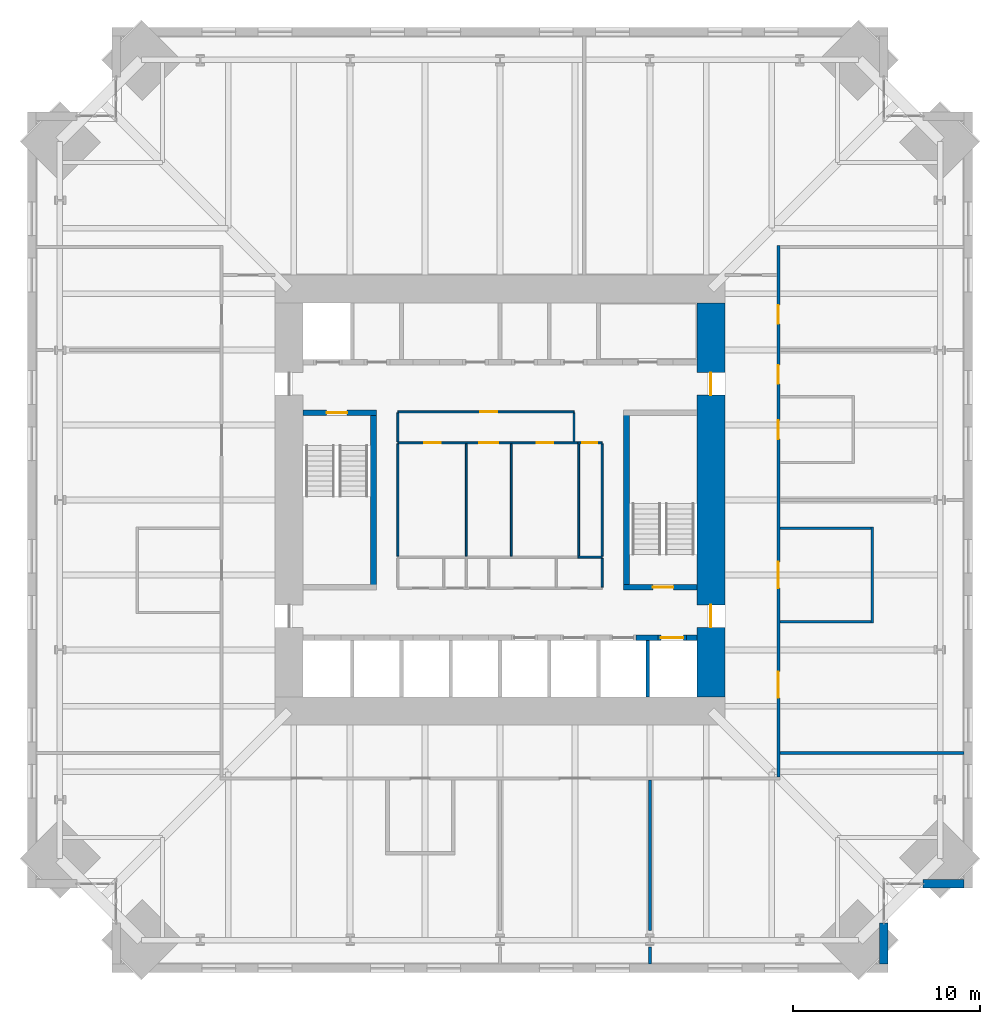
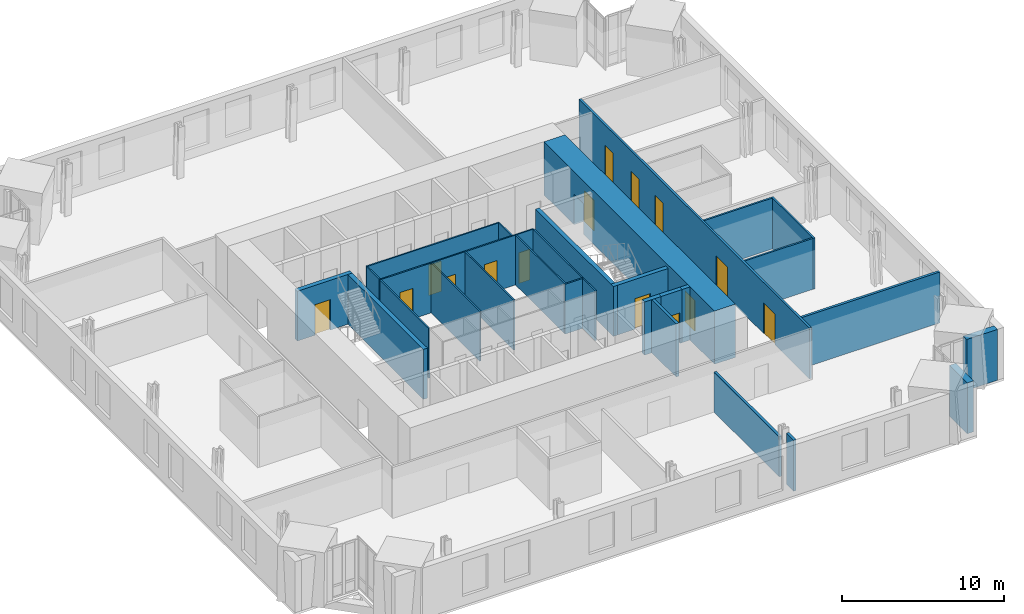
# One storey, part 12 of 15: 30 walls, 15 doors, 15 openings.
"""IFC4 building model written with IfcOpenShell, lengths in metres."""

from ifc_helpers import new_model, si_unit, direction, frame, frame_2d, origin, place, context, subcontext, project, spatial, rectangle, extrude, material, layer, layer_set, type_object, element, fill, save


model = new_model("IFC4")

# Units and contexts
model_context = context("Model", 3, precision=1e-05, world=origin(), true_north=direction((0.0, 1.0)))
body_context = subcontext(model_context, "Body", "Model", "MODEL_VIEW")
ifc_project = project(units=[si_unit("LENGTHUNIT", "METRE"), si_unit("AREAUNIT", "SQUARE_METRE"), si_unit("VOLUMEUNIT", "CUBIC_METRE"), si_unit("PLANEANGLEUNIT", "RADIAN"), si_unit("MASSUNIT", "GRAM", prefix="KILO")], contexts=[model_context])

# Site, building, storey
site_placement = place(None, origin())
site = spatial("IfcSite", under=ifc_project, at=site_placement, CompositionType="ELEMENT")
building_placement = place(site_placement, origin())
building = spatial("IfcBuilding", under=site, at=building_placement, Name="Peilmerk Tower", CompositionType="ELEMENT")
storey_placement = place(building_placement, frame((0.0, 0.0, 183.800048828125)))
storey = spatial("IfcBuildingStorey", under=building, at=storey_placement, Name="L39", CompositionType="ELEMENT", Elevation=183.800048828125)

# Walls
ifc_material_1 = material(Name="Precast concrete C45/55, board-marked finish", Category="concrete")
ifc_layer_1 = layer(ifc_material_1, 0.449951171875)
ifc_layer_set_1 = layer_set([ifc_layer_1], Name="Precast concrete C45/55, board-marked finish")
wall_type_1 = type_object("IfcWallType", Name="EW1 450 precast concrete facade wall, board-marked", PredefinedType="SOLIDWALL", material=ifc_layer_set_1)
for number, where, z_axis, x_axis, name in (
    (1, (20.47509765625, -22.5537109375, 0.0), (0.0, 0.0, 1.0), (0.0, -1.0, 0.0), "Facade wall SEA L39"),
    (2, (22.5537109375, -20.47509765625, 0.0), (0.0, 0.0, 1.0), (1.0, 0.0, 0.0), "Facade wall SEB L39"),
):
    element("IfcWall", number, at=place(storey_placement, frame(where, z_axis=z_axis, x_axis=x_axis)), inside=storey, type_object=wall_type_1, Name=name, PredefinedType="SOLIDWALL", context=body_context, shape_type="SweptSolid", body=[
        extrude(rectangle(XDim=2.1962890625, YDim=0.449951171875, at=frame_2d((1.09814453125, 0.0))), origin(), (0.0, 0.0, 1.0), 3.829833984375),
    ])

# Wall, openings, doors
ifc_material_2 = material(Name="Calcium silicate block", Category="masonry")
ifc_layer_2 = layer(ifc_material_2, 0.14990234375)
ifc_layer_set_2 = layer_set([ifc_layer_2], Name="Calcium silicate block")
wall_type_2 = type_object("IfcWallType", Name="IW1 150 corridor partition, EI 60", PredefinedType="PARTITIONING", material=ifc_layer_set_2)
wall_1_placement = place(storey_placement, frame((14.85009765625, -14.77490234375, 0.0), z_axis=(0.0, 0.0, 1.0), x_axis=(0.0, 1.0, 0.0)))
wall_1 = element("IfcWall", 3, at=wall_1_placement, inside=storey, type_object=wall_type_2, Name="Corridor wall E L39", PredefinedType="PARTITIONING", context=body_context, shape_type="SweptSolid", body=[
    extrude(rectangle(XDim=28.349853515625, YDim=0.14990234375, at=frame_2d((14.1748046875, 0.0))), origin(), (0.0, 0.0, 1.0), 3.829833984375),
])
opening_1_placement = place(wall_1_placement, frame((4.22509765625, 0.0, 0.0)))
opening_1 = element("IfcOpeningElement", 4, at=opening_1_placement, cuts=wall_1, Name="Opening D8", PredefinedType="OPENING", context=body_context, shape_type="SweptSolid", body=[
    extrude(rectangle(XDim=1.39990234375, YDim=2.300048828125, at=frame_2d((0.699951171875, 1.14990234375))), frame((0.0, 0.0849609375, 0.0), z_axis=(0.0, -1.0, 0.0), x_axis=(1.0, 0.0, 0.0)), (0.0, 0.0, 1.0), 0.169921875),
])
opening_2_placement = place(wall_1_placement, frame((20.97509765625, 0.0, 0.0)))
opening_2 = element("IfcOpeningElement", 5, at=opening_2_placement, cuts=wall_1, Name="Opening D1", PredefinedType="OPENING", context=body_context, shape_type="SweptSolid", body=[
    extrude(rectangle(XDim=1.0, YDim=2.300048828125, at=frame_2d((0.5, 1.14990234375))), frame((0.0, 0.0849609375, 0.0), z_axis=(0.0, -1.0, 0.0), x_axis=(1.0, 0.0, 0.0)), (0.0, 0.0, 1.0), 0.169921875),
])
opening_3_placement = place(wall_1_placement, frame((24.175048828125, 0.0, 0.0)))
opening_3 = element("IfcOpeningElement", 6, at=opening_3_placement, cuts=wall_1, Name="Opening D1", PredefinedType="OPENING", context=body_context, shape_type="SweptSolid", body=[
    extrude(rectangle(XDim=1.0, YDim=2.300048828125, at=frame_2d((0.5, 1.14990234375))), frame((0.0, 0.0849609375, 0.0), z_axis=(0.0, -1.0, 0.0), x_axis=(1.0, 0.0, 0.0)), (0.0, 0.0, 1.0), 0.169921875),
])
opening_4_placement = place(wall_1_placement, frame((10.074951171875, 0.0, 0.0)))
opening_4 = element("IfcOpeningElement", 7, at=opening_4_placement, cuts=wall_1, Name="Opening D8", PredefinedType="OPENING", context=body_context, shape_type="SweptSolid", body=[
    extrude(rectangle(XDim=1.39990234375, YDim=2.300048828125, at=frame_2d((0.699951171875, 1.14990234375))), frame((0.0, 0.0849609375, 0.0), z_axis=(0.0, -1.0, 0.0), x_axis=(1.0, 0.0, 0.0)), (0.0, 0.0, 1.0), 0.169921875),
])
opening_5_placement = place(wall_1_placement, frame((18.02490234375, 0.0, 0.0)))
opening_5 = element("IfcOpeningElement", 8, at=opening_5_placement, cuts=wall_1, Name="Opening D1", PredefinedType="OPENING", context=body_context, shape_type="SweptSolid", body=[
    extrude(rectangle(XDim=1.0, YDim=2.300048828125, at=frame_2d((0.5, 1.14990234375))), frame((0.0, 0.0849609375, 0.0), z_axis=(0.0, -1.0, 0.0), x_axis=(1.0, 0.0, 0.0)), (0.0, 0.0, 1.0), 0.169921875),
])
ifc_material_3 = material(Name="Timber door in steel frame", Category="steel")
door_type_1 = type_object("IfcDoorType", Name="D1 1000x2300 room door, EI2 30", OperationType="SINGLE_SWING_LEFT", PredefinedType="DOOR", material=ifc_material_3)
door_1_placement = place(opening_2_placement, frame((1.0, 0.0, 0.0), z_axis=(0.0, 0.0, 1.0), x_axis=(-1.0, 0.0, 0.0)))
door_1 = element("IfcDoor", 9, at=door_1_placement, inside=storey, type_object=door_type_1, Name="Door Office L39", OperationType="SINGLE_SWING_LEFT", OverallHeight=2.300048828125, OverallWidth=1.0, PredefinedType="DOOR", context=body_context, shape_type="SweptSolid", body=[
    extrude(rectangle(XDim=1.0, YDim=2.300048828125, at=frame_2d((0.5, 1.14990234375))), frame((0.0, 0.02490234375, 0.0), z_axis=(0.0, -1.0, 0.0), x_axis=(1.0, 0.0, 0.0)), (0.0, 0.0, 1.0), 0.050048828125),
])
fill(opening_2, door_1)
door_2_placement = place(opening_3_placement, frame((1.0, 0.0, 0.0), z_axis=(0.0, 0.0, 1.0), x_axis=(-1.0, 0.0, 0.0)))
door_2 = element("IfcDoor", 10, at=door_2_placement, inside=storey, type_object=door_type_1, Name="Door Office L39", OperationType="SINGLE_SWING_LEFT", OverallHeight=2.300048828125, OverallWidth=1.0, PredefinedType="DOOR", context=body_context, shape_type="SweptSolid", body=[
    extrude(rectangle(XDim=1.0, YDim=2.300048828125, at=frame_2d((0.5, 1.14990234375))), frame((0.0, 0.02490234375, 0.0), z_axis=(0.0, -1.0, 0.0), x_axis=(1.0, 0.0, 0.0)), (0.0, 0.0, 1.0), 0.050048828125),
])
fill(opening_3, door_2)
door_3_placement = place(opening_5_placement, frame((1.0, 0.0, 0.0), z_axis=(0.0, 0.0, 1.0), x_axis=(-1.0, 0.0, 0.0)))
door_3 = element("IfcDoor", 11, at=door_3_placement, inside=storey, type_object=door_type_1, Name="Door Pantry L39", OperationType="SINGLE_SWING_LEFT", OverallHeight=2.300048828125, OverallWidth=1.0, PredefinedType="DOOR", context=body_context, shape_type="SweptSolid", body=[
    extrude(rectangle(XDim=1.0, YDim=2.300048828125, at=frame_2d((0.5, 1.14990234375))), frame((0.0, 0.02490234375, 0.0), z_axis=(0.0, -1.0, 0.0), x_axis=(1.0, 0.0, 0.0)), (0.0, 0.0, 1.0), 0.050048828125),
])
fill(opening_5, door_3)
door_type_2 = type_object("IfcDoorType", Name="D8 1400x2300 leaf-and-a-half door, EI2 30", OperationType="DOUBLE_DOOR_SINGLE_SWING", PredefinedType="DOOR", material=ifc_material_3)
door_4_placement = place(opening_1_placement, frame((1.39990234375, 0.0, 0.0), z_axis=(0.0, 0.0, 1.0), x_axis=(-1.0, 0.0, 0.0)))
door_4 = element("IfcDoor", 12, at=door_4_placement, inside=storey, type_object=door_type_2, Name="Door Library L39", OperationType="DOUBLE_DOOR_SINGLE_SWING", OverallHeight=2.300048828125, OverallWidth=1.39990234375, PredefinedType="DOOR", context=body_context, shape_type="SweptSolid", body=[
    extrude(rectangle(XDim=1.39990234375, YDim=2.300048828125, at=frame_2d((0.699951171875, 1.14990234375))), frame((0.0, 0.02490234375, 0.0), z_axis=(0.0, -1.0, 0.0), x_axis=(1.0, 0.0, 0.0)), (0.0, 0.0, 1.0), 0.050048828125),
])
fill(opening_1, door_4)
door_5_placement = place(opening_4_placement, frame((1.39990234375, 0.0, 0.0), z_axis=(0.0, 0.0, 1.0), x_axis=(-1.0, 0.0, 0.0)))
door_5 = element("IfcDoor", 13, at=door_5_placement, inside=storey, type_object=door_type_2, Name="Door Board room L39", OperationType="DOUBLE_DOOR_SINGLE_SWING", OverallHeight=2.300048828125, OverallWidth=1.39990234375, PredefinedType="DOOR", context=body_context, shape_type="SweptSolid", body=[
    extrude(rectangle(XDim=1.39990234375, YDim=2.300048828125, at=frame_2d((0.699951171875, 1.14990234375))), frame((0.0, 0.02490234375, 0.0), z_axis=(0.0, -1.0, 0.0), x_axis=(1.0, 0.0, 0.0)), (0.0, 0.0, 1.0), 0.050048828125),
])
fill(opening_4, door_5)

# Wall
ifc_material_4 = material(Name="Concrete C35/45", Category="concrete")
ifc_layer_3 = layer(ifc_material_4, 0.300048828125)
ifc_layer_set_3 = layer_set([ifc_layer_3], Name="Concrete C35/45")
wall_type_3 = type_object("IfcWallType", Name="IW3 300 concrete stair enclosure wall, EI 120", PredefinedType="SOLIDWALL", material=ifc_layer_set_3)
wall_2_placement = place(storey_placement, frame((-6.75, -4.800048828125, 0.0), z_axis=(0.0, 0.0, 1.0), x_axis=(0.0, 1.0, 0.0)))
element("IfcWall", 14, at=wall_2_placement, inside=storey, type_object=wall_type_3, Name="Stair 1 enclosure L39", PredefinedType="SOLIDWALL", context=body_context, shape_type="SweptSolid", body=[
    extrude(rectangle(XDim=9.60009765625, YDim=0.300048828125, at=frame_2d((4.800048828125, 0.0))), origin(), (0.0, 0.0, 1.0), 3.75),
])

# Wall, opening, door
wall_3_placement = place(storey_placement, frame((-10.5, 4.64990234375, 0.0), z_axis=(0.0, 0.0, 1.0), x_axis=(1.0, 0.0, 0.0)))
wall_3 = element("IfcWall", 15, at=wall_3_placement, inside=storey, type_object=wall_type_3, Name="Stair 1 enclosure L39", PredefinedType="SOLIDWALL", context=body_context, shape_type="SweptSolid", body=[
    extrude(rectangle(XDim=3.89990234375, YDim=0.300048828125, at=frame_2d((1.949951171875, 0.0))), origin(), (0.0, 0.0, 1.0), 3.75),
])
opening_6_placement = place(wall_3_placement, frame((1.25, 0.0, 0.0)))
opening_6 = element("IfcOpeningElement", 16, at=opening_6_placement, cuts=wall_3, Name="Opening D4", PredefinedType="OPENING", context=body_context, shape_type="SweptSolid", body=[
    extrude(rectangle(XDim=1.10009765625, YDim=2.300048828125, at=frame_2d((0.550048828125, 1.14990234375))), frame((0.0, 0.159912109375, 0.0), z_axis=(0.0, -1.0, 0.0), x_axis=(1.0, 0.0, 0.0)), (0.0, 0.0, 1.0), 0.320068359375),
])
ifc_material_5 = material(Name="Steel door in steel frame", Category="steel")
door_type_3 = type_object("IfcDoorType", Name="D4 1100x2300 stair door, EI2 60", OperationType="SINGLE_SWING_RIGHT", PredefinedType="DOOR", material=ifc_material_5)
door_6_placement = place(opening_6_placement, frame((1.10009765625, 0.0, 0.0), z_axis=(0.0, 0.0, 1.0), x_axis=(-1.0, 0.0, 0.0)))
door_6 = element("IfcDoor", 17, at=door_6_placement, inside=storey, type_object=door_type_3, Name="Stair 1 door L39", OperationType="SINGLE_SWING_RIGHT", OverallHeight=2.300048828125, OverallWidth=1.10009765625, PredefinedType="DOOR", context=body_context, shape_type="SweptSolid", body=[
    extrude(rectangle(XDim=1.10009765625, YDim=2.300048828125, at=frame_2d((0.550048828125, 1.14990234375))), frame((0.0, 0.02490234375, 0.0), z_axis=(0.0, -1.0, 0.0), x_axis=(1.0, 0.0, 0.0)), (0.0, 0.0, 1.0), 0.050048828125),
])
fill(opening_6, door_6)

# Wall
wall_4_placement = place(storey_placement, frame((6.75, -4.800048828125, 0.0), z_axis=(0.0, 0.0, 1.0), x_axis=(0.0, 1.0, 0.0)))
element("IfcWall", 18, at=wall_4_placement, inside=storey, type_object=wall_type_3, Name="Stair 2 enclosure L39", PredefinedType="SOLIDWALL", context=body_context, shape_type="SweptSolid", body=[
    extrude(rectangle(XDim=9.60009765625, YDim=0.300048828125, at=frame_2d((4.800048828125, 0.0))), origin(), (0.0, 0.0, 1.0), 3.75),
])

# Wall, opening, door
wall_5_placement = place(storey_placement, frame((10.5, -4.64990234375, 0.0), z_axis=(0.0, 0.0, 1.0), x_axis=(-1.0, 0.0, 0.0)))
wall_5 = element("IfcWall", 19, at=wall_5_placement, inside=storey, type_object=wall_type_3, Name="Stair 2 enclosure L39", PredefinedType="SOLIDWALL", context=body_context, shape_type="SweptSolid", body=[
    extrude(rectangle(XDim=3.89990234375, YDim=0.300048828125, at=frame_2d((1.949951171875, 0.0))), origin(), (0.0, 0.0, 1.0), 3.75),
])
opening_7_placement = place(wall_5_placement, frame((1.25, 0.0, 0.0)))
opening_7 = element("IfcOpeningElement", 20, at=opening_7_placement, cuts=wall_5, Name="Opening D4", PredefinedType="OPENING", context=body_context, shape_type="SweptSolid", body=[
    extrude(rectangle(XDim=1.10009765625, YDim=2.300048828125, at=frame_2d((0.550048828125, 1.14990234375))), frame((0.0, 0.159912109375, 0.0), z_axis=(0.0, -1.0, 0.0), x_axis=(1.0, 0.0, 0.0)), (0.0, 0.0, 1.0), 0.320068359375),
])
door_7_placement = place(opening_7_placement, frame((1.10009765625, 0.0, 0.0), z_axis=(0.0, 0.0, 1.0), x_axis=(-1.0, 0.0, 0.0)))
door_7 = element("IfcDoor", 21, at=door_7_placement, inside=storey, type_object=door_type_3, Name="Stair 2 door L39", OperationType="SINGLE_SWING_RIGHT", OverallHeight=2.300048828125, OverallWidth=1.10009765625, PredefinedType="DOOR", context=body_context, shape_type="SweptSolid", body=[
    extrude(rectangle(XDim=1.10009765625, YDim=2.300048828125, at=frame_2d((0.550048828125, 1.14990234375))), frame((0.0, 0.02490234375, 0.0), z_axis=(0.0, -1.0, 0.0), x_axis=(1.0, 0.0, 0.0)), (0.0, 0.0, 1.0), 0.050048828125),
])
fill(opening_7, door_7)

# Wall, openings, doors
ifc_material_6 = material(Name="Plasterboard on steel studs", Category="steel")
ifc_layer_4 = layer(ifc_material_6, 0.10009765625)
ifc_layer_set_4 = layer_set([ifc_layer_4], Name="Plasterboard on steel studs")
wall_type_4 = type_object("IfcWallType", Name="IW4 100 WC partition", PredefinedType="PARTITIONING", material=ifc_layer_set_4)
wall_6_placement = place(storey_placement, frame((-5.449951171875, 3.050048828125, 0.0), z_axis=(0.0, 0.0, 1.0), x_axis=(1.0, 0.0, 0.0)))
wall_6 = element("IfcWall", 22, at=wall_6_placement, inside=storey, type_object=wall_type_4, Name="WC wall L39", PredefinedType="PARTITIONING", context=body_context, shape_type="SweptSolid", body=[
    extrude(rectangle(XDim=9.599853515625, YDim=0.10009765625, at=frame_2d((4.7998046875, 0.0))), origin(), (0.0, 0.0, 1.0), 3.75),
])
opening_8_placement = place(wall_6_placement, frame((1.39990234375, 0.0, 0.0)))
opening_8 = element("IfcOpeningElement", 23, at=opening_8_placement, cuts=wall_6, Name="Opening D5", PredefinedType="OPENING", context=body_context, shape_type="SweptSolid", body=[
    extrude(rectangle(XDim=0.89990234375, YDim=2.300048828125, at=frame_2d((0.449951171875, 1.14990234375))), frame((0.0, 0.06005859375, 0.0), z_axis=(0.0, -1.0, 0.0), x_axis=(1.0, 0.0, 0.0)), (0.0, 0.0, 1.0), 0.1201171875),
])
opening_9_placement = place(wall_6_placement, frame((4.35009765625, 0.0, 0.0)))
opening_9 = element("IfcOpeningElement", 24, at=opening_9_placement, cuts=wall_6, Name="Opening D6", PredefinedType="OPENING", context=body_context, shape_type="SweptSolid", body=[
    extrude(rectangle(XDim=1.0, YDim=2.300048828125, at=frame_2d((0.5, 1.14990234375))), frame((0.0, 0.06005859375, 0.0), z_axis=(0.0, -1.0, 0.0), x_axis=(1.0, 0.0, 0.0)), (0.0, 0.0, 1.0), 0.1201171875),
])
opening_10_placement = place(wall_6_placement, frame((7.39990234375, 0.0, 0.0)))
opening_10 = element("IfcOpeningElement", 25, at=opening_10_placement, cuts=wall_6, Name="Opening D5", PredefinedType="OPENING", context=body_context, shape_type="SweptSolid", body=[
    extrude(rectangle(XDim=0.89990234375, YDim=2.300048828125, at=frame_2d((0.449951171875, 1.14990234375))), frame((0.0, 0.06005859375, 0.0), z_axis=(0.0, -1.0, 0.0), x_axis=(1.0, 0.0, 0.0)), (0.0, 0.0, 1.0), 0.1201171875),
])
door_type_4 = type_object("IfcDoorType", Name="D5 900x2300 WC door", OperationType="SINGLE_SWING_LEFT", PredefinedType="DOOR", material=ifc_material_3)
door_8_placement = place(opening_8_placement, frame((0.89990234375, 0.0, 0.0), z_axis=(0.0, 0.0, 1.0), x_axis=(-1.0, 0.0, 0.0)))
door_8 = element("IfcDoor", 26, at=door_8_placement, inside=storey, type_object=door_type_4, Name="Female toilets door L39", OperationType="SINGLE_SWING_LEFT", OverallHeight=2.300048828125, OverallWidth=0.89990234375, PredefinedType="DOOR", context=body_context, shape_type="SweptSolid", body=[
    extrude(rectangle(XDim=0.89990234375, YDim=2.300048828125, at=frame_2d((0.449951171875, 1.14990234375))), frame((0.0, 0.02490234375, 0.0), z_axis=(0.0, -1.0, 0.0), x_axis=(1.0, 0.0, 0.0)), (0.0, 0.0, 1.0), 0.050048828125),
])
fill(opening_8, door_8)
door_9_placement = place(opening_10_placement, frame((0.89990234375, 0.0, 0.0), z_axis=(0.0, 0.0, 1.0), x_axis=(-1.0, 0.0, 0.0)))
door_9 = element("IfcDoor", 27, at=door_9_placement, inside=storey, type_object=door_type_4, Name="Male toilets door L39", OperationType="SINGLE_SWING_LEFT", OverallHeight=2.300048828125, OverallWidth=0.89990234375, PredefinedType="DOOR", context=body_context, shape_type="SweptSolid", body=[
    extrude(rectangle(XDim=0.89990234375, YDim=2.300048828125, at=frame_2d((0.449951171875, 1.14990234375))), frame((0.0, 0.02490234375, 0.0), z_axis=(0.0, -1.0, 0.0), x_axis=(1.0, 0.0, 0.0)), (0.0, 0.0, 1.0), 0.050048828125),
])
fill(opening_10, door_9)
door_type_5 = type_object("IfcDoorType", Name="D6 1000x2300 accessible WC door", OperationType="SLIDING_TO_LEFT", PredefinedType="DOOR", material=ifc_material_3)
door_10_placement = place(opening_9_placement, frame((1.0, 0.0, 0.0), z_axis=(0.0, 0.0, 1.0), x_axis=(-1.0, 0.0, 0.0)))
door_10 = element("IfcDoor", 28, at=door_10_placement, inside=storey, type_object=door_type_5, Name="Accessible WC door L39", OperationType="SLIDING_TO_LEFT", OverallHeight=2.300048828125, OverallWidth=1.0, PredefinedType="DOOR", context=body_context, shape_type="SweptSolid", body=[
    extrude(rectangle(XDim=1.0, YDim=2.300048828125, at=frame_2d((0.5, 1.14990234375))), frame((0.0, 0.02490234375, 0.0), z_axis=(0.0, -1.0, 0.0), x_axis=(1.0, 0.0, 0.0)), (0.0, 0.0, 1.0), 0.050048828125),
])
fill(opening_9, door_10)

# Walls
for number, where, z_axis, x_axis, name in (
    (29, (-5.449951171875, -3.0, 0.0), (0.0, 0.0, 1.0), (0.0, 1.0, 0.0), "WC wall L39"),
    (30, (-1.800048828125, -3.0, 0.0), (0.0, 0.0, 1.0), (0.0, 1.0, 0.0), "WC wall L39"),
    (31, (0.60009765625, -3.0, 0.0), (0.0, 0.0, 1.0), (0.0, 1.0, 0.0), "WC wall L39"),
):
    element("IfcWall", number, at=place(storey_placement, frame(where, z_axis=z_axis, x_axis=x_axis)), inside=storey, type_object=wall_type_4, Name=name, PredefinedType="PARTITIONING", context=body_context, shape_type="SweptSolid", body=[
        extrude(rectangle(XDim=6.0, YDim=0.10009765625, at=frame_2d((3.0, 0.0))), origin(), (0.0, 0.0, 1.0), 3.75),
    ])

# Wall, opening, door
ifc_material_7 = material(Name="Calcium silicate board on steel studs", Category="steel")
ifc_layer_5 = layer(ifc_material_7, 0.10009765625)
ifc_layer_set_5 = layer_set([ifc_layer_5], Name="Calcium silicate board on steel studs")
wall_type_5 = type_object("IfcWallType", Name="IW5 100 riser enclosure wall, EI 60", PredefinedType="PARTITIONING", material=ifc_layer_set_5)
wall_7_placement = place(storey_placement, frame((4.14990234375, 3.050048828125, 0.0), z_axis=(0.0, 0.0, 1.0), x_axis=(1.0, 0.0, 0.0)))
wall_7 = element("IfcWall", 32, at=wall_7_placement, inside=storey, type_object=wall_type_5, Name="Riser wall L39", PredefinedType="PARTITIONING", context=body_context, shape_type="SweptSolid", body=[
    extrude(rectangle(XDim=1.300048828125, YDim=0.10009765625, at=frame_2d((0.64990234375, 0.0))), origin(), (0.0, 0.0, 1.0), 3.75),
])
opening_11_placement = place(wall_7_placement, frame((0.25, 0.0, 0.0)))
opening_11 = element("IfcOpeningElement", 33, at=opening_11_placement, cuts=wall_7, Name="Opening D7", PredefinedType="OPENING", context=body_context, shape_type="SweptSolid", body=[
    extrude(rectangle(XDim=0.800048828125, YDim=2.300048828125, at=frame_2d((0.39990234375, 1.14990234375))), frame((0.0, 0.06005859375, 0.0), z_axis=(0.0, -1.0, 0.0), x_axis=(1.0, 0.0, 0.0)), (0.0, 0.0, 1.0), 0.1201171875),
])
door_type_6 = type_object("IfcDoorType", Name="D7 800x2300 riser access door, EI2 60", OperationType="SINGLE_SWING_RIGHT", PredefinedType="DOOR", material=ifc_material_5)
door_11_placement = place(opening_11_placement, frame((0.800048828125, 0.0, 0.0), z_axis=(0.0, 0.0, 1.0), x_axis=(-1.0, 0.0, 0.0)))
door_11 = element("IfcDoor", 34, at=door_11_placement, inside=storey, type_object=door_type_6, Name="Plumbing riser door L39", OperationType="SINGLE_SWING_RIGHT", OverallHeight=2.300048828125, OverallWidth=0.800048828125, PredefinedType="DOOR", context=body_context, shape_type="SweptSolid", body=[
    extrude(rectangle(XDim=0.800048828125, YDim=2.300048828125, at=frame_2d((0.39990234375, 1.14990234375))), frame((0.0, 0.02490234375, 0.0), z_axis=(0.0, -1.0, 0.0), x_axis=(1.0, 0.0, 0.0)), (0.0, 0.0, 1.0), 0.050048828125),
])
fill(opening_11, door_11)

# Walls
wall_8_placement = place(storey_placement, frame((5.449951171875, -3.050048828125, 0.0), z_axis=(0.0, 0.0, 1.0), x_axis=(-1.0, 0.0, 0.0)))
element("IfcWall", 35, at=wall_8_placement, inside=storey, type_object=wall_type_5, Name="Riser wall L39", PredefinedType="PARTITIONING", context=body_context, shape_type="SweptSolid", body=[
    extrude(rectangle(XDim=1.300048828125, YDim=0.10009765625, at=frame_2d((0.64990234375, 0.0))), origin(), (0.0, 0.0, 1.0), 3.75),
])
for number, where, z_axis, x_axis, name in (
    (36, (5.449951171875, 3.0, 0.0), (0.0, 0.0, 1.0), (0.0, -1.0, 0.0), "Riser wall L39"),
    (37, (4.199951171875, -3.0, 0.0), (0.0, 0.0, 1.0), (0.0, 1.0, 0.0), "Riser wall L39"),
):
    element("IfcWall", number, at=place(storey_placement, frame(where, z_axis=z_axis, x_axis=x_axis)), inside=storey, type_object=wall_type_5, Name=name, PredefinedType="PARTITIONING", context=body_context, shape_type="SweptSolid", body=[
        extrude(rectangle(XDim=6.0, YDim=0.10009765625, at=frame_2d((3.0, 0.0))), origin(), (0.0, 0.0, 1.0), 3.75),
    ])
wall_9_placement = place(storey_placement, frame((5.449951171875, -3.10009765625, 0.0), z_axis=(0.0, 0.0, 1.0), x_axis=(0.0, -1.0, 0.0)))
element("IfcWall", 38, at=wall_9_placement, inside=storey, type_object=wall_type_5, Name="Riser wall L39", PredefinedType="PARTITIONING", context=body_context, shape_type="SweptSolid", body=[
    extrude(rectangle(XDim=1.5498046875, YDim=0.10009765625, at=frame_2d((0.77490234375, 0.0))), origin(), (0.0, 0.0, 1.0), 3.75),
])
ifc_material_8 = material(Name="Plasterboard on steel studs, double boarded with mineral wool", Category="steel")
ifc_layer_6 = layer(ifc_material_8, 0.125)
ifc_layer_set_6 = layer_set([ifc_layer_6], Name="Plasterboard on steel studs, double boarded with mineral wool")
wall_type_6 = type_object("IfcWallType", Name="IW7 125 acoustic partition, EI 30", PredefinedType="PARTITIONING", material=ifc_layer_set_6)
wall_10_placement = place(storey_placement, frame((19.85009765625, -6.5625, 0.0), z_axis=(0.0, 0.0, 1.0), x_axis=(0.0, 1.0, 0.0)))
element("IfcWall", 39, at=wall_10_placement, inside=storey, type_object=wall_type_6, Name="Acoustic partition Board room L39", PredefinedType="PARTITIONING", context=body_context, shape_type="SweptSolid", body=[
    extrude(rectangle(XDim=5.125, YDim=0.125, at=frame_2d((2.5625, 0.0))), origin(), (0.0, 0.0, 1.0), 3.829833984375),
])
for number, where, z_axis, x_axis, name in (
    (40, (14.925048828125, -6.5, 0.0), (0.0, 0.0, 1.0), (1.0, 0.0, 0.0), "Acoustic partition Board room L39"),
    (41, (14.925048828125, -1.5, 0.0), (0.0, 0.0, 1.0), (1.0, 0.0, 0.0), "Acoustic partition Board room L39"),
):
    element("IfcWall", number, at=place(storey_placement, frame(where, z_axis=z_axis, x_axis=x_axis)), inside=storey, type_object=wall_type_6, Name=name, PredefinedType="PARTITIONING", context=body_context, shape_type="SweptSolid", body=[
        extrude(rectangle(XDim=4.862548828125, YDim=0.125, at=frame_2d((2.43115234375, 0.0))), origin(), (0.0, 0.0, 1.0), 3.829833984375),
    ])
ifc_layer_7 = layer(ifc_material_2, 0.175048828125)
ifc_layer_set_7 = layer_set([ifc_layer_7], Name="Calcium silicate block")
wall_type_7 = type_object("IfcWallType", Name="IW8 175 tenant separating wall, EI 60", PredefinedType="PARTITIONING", material=ifc_layer_set_7)
wall_11_placement = place(storey_placement, frame((24.75, -13.5, 0.0), z_axis=(0.0, 0.0, 1.0), x_axis=(-1.0, 0.0, 0.0)))
element("IfcWall", 42, at=wall_11_placement, inside=storey, type_object=wall_type_7, Name="Tenant separating wall SE L39", PredefinedType="PARTITIONING", context=body_context, shape_type="SweptSolid", body=[
    extrude(rectangle(XDim=9.824951171875, YDim=0.175048828125, at=frame_2d((4.91259765625, 0.0))), origin(), (0.0, 0.0, 1.0), 3.829833984375),
])
wall_12_placement = place(storey_placement, frame((8.0, -14.925048828125, 0.0), z_axis=(0.0, 0.0, 1.0), x_axis=(0.0, -1.0, 0.0)))
element("IfcWall", 43, at=wall_12_placement, inside=storey, type_object=wall_type_7, Name="Tenant separating wall S2 L39", PredefinedType="PARTITIONING", context=body_context, shape_type="SweptSolid", body=[
    extrude(rectangle(XDim=8.03515625, YDim=0.175048828125, at=frame_2d((4.017578125, 0.0))), origin(), (0.0, 0.0, 1.0), 3.015869140625),
])
wall_13_placement = place(storey_placement, frame((8.0, -23.849365234375, 0.0), z_axis=(0.0, 0.0, 1.0), x_axis=(0.0, -1.0, 0.0)))
element("IfcWall", 44, at=wall_13_placement, inside=storey, type_object=wall_type_7, Name="Tenant separating wall S2b L39", PredefinedType="PARTITIONING", context=body_context, shape_type="SweptSolid", body=[
    extrude(rectangle(XDim=0.900634765625, YDim=0.175048828125, at=frame_2d((0.4501953125, 0.0))), origin(), (0.0, 0.0, 1.0), 3.829833984375),
])

# Wall, opening, door
ifc_material_9 = material(Name="Fire-resisting plasterboard on steel studs", Category="steel")
ifc_layer_8 = layer(ifc_material_9, 0.10009765625)
ifc_layer_set_8 = layer_set([ifc_layer_8], Name="Fire-resisting plasterboard on steel studs")
wall_type_8 = type_object("IfcWallType", Name="IW9 100 WC lobby wall, EI 30", PredefinedType="PARTITIONING", material=ifc_layer_set_8)
wall_14_placement = place(storey_placement, frame((-5.449951171875, 4.699951171875, 0.0), z_axis=(0.0, 0.0, 1.0), x_axis=(1.0, 0.0, 0.0)))
wall_14 = element("IfcWall", 45, at=wall_14_placement, inside=storey, type_object=wall_type_8, Name="WC lobby wall L39", PredefinedType="PARTITIONING", context=body_context, shape_type="SweptSolid", body=[
    extrude(rectangle(XDim=9.39990234375, YDim=0.10009765625, at=frame_2d((4.699951171875, 0.0))), origin(), (0.0, 0.0, 1.0), 3.75),
])
opening_12_placement = place(wall_14_placement, frame((4.39990234375, 0.0, 0.0)))
opening_12 = element("IfcOpeningElement", 46, at=opening_12_placement, cuts=wall_14, Name="Opening D11", PredefinedType="OPENING", context=body_context, shape_type="SweptSolid", body=[
    extrude(rectangle(XDim=0.89990234375, YDim=2.300048828125, at=frame_2d((0.449951171875, 1.14990234375))), frame((0.0, 0.06005859375, 0.0), z_axis=(0.0, -1.0, 0.0), x_axis=(1.0, 0.0, 0.0)), (0.0, 0.0, 1.0), 0.1201171875),
])
door_type_7 = type_object("IfcDoorType", Name="D11 900x2300 WC lobby door, EI2 30", OperationType="SINGLE_SWING_LEFT", PredefinedType="DOOR", material=ifc_material_3)
door_12_placement = place(opening_12_placement, frame((0.89990234375, 0.0, 0.0), z_axis=(0.0, 0.0, 1.0), x_axis=(-1.0, 0.0, 0.0)))
door_12 = element("IfcDoor", 47, at=door_12_placement, inside=storey, type_object=door_type_7, Name="WC lobby door L39", OperationType="SINGLE_SWING_LEFT", OverallHeight=2.300048828125, OverallWidth=0.89990234375, PredefinedType="DOOR", context=body_context, shape_type="SweptSolid", body=[
    extrude(rectangle(XDim=0.89990234375, YDim=2.300048828125, at=frame_2d((0.449951171875, 1.14990234375))), frame((0.0, 0.02490234375, 0.0), z_axis=(0.0, -1.0, 0.0), x_axis=(1.0, 0.0, 0.0)), (0.0, 0.0, 1.0), 0.050048828125),
])
fill(opening_12, door_12)

# Walls
for number, where, z_axis, x_axis, name in (
    (48, (-5.449951171875, 3.10009765625, 0.0), (0.0, 0.0, 1.0), (0.0, 1.0, 0.0), "WC lobby wall L39"),
    (49, (3.949951171875, 3.10009765625, 0.0), (0.0, 0.0, 1.0), (0.0, 1.0, 0.0), "WC lobby wall L39"),
):
    element("IfcWall", number, at=place(storey_placement, frame(where, z_axis=z_axis, x_axis=x_axis)), inside=storey, type_object=wall_type_8, Name=name, PredefinedType="PARTITIONING", context=body_context, shape_type="SweptSolid", body=[
        extrude(rectangle(XDim=1.5498046875, YDim=0.10009765625, at=frame_2d((0.77490234375, 0.0))), origin(), (0.0, 0.0, 1.0), 3.75),
    ])
ifc_layer_9 = layer(ifc_material_2, 0.199951171875)
ifc_layer_set_9 = layer_set([ifc_layer_9], Name="Calcium silicate block")
wall_type_9 = type_object("IfcWallType", Name="SH1 200 shaft dividing wall, EI 120", PredefinedType="PARTITIONING", material=ifc_layer_set_9)
wall_15_placement = place(storey_placement, frame((7.875, -10.5, 0.0), z_axis=(0.0, 0.0, 1.0), x_axis=(0.0, 1.0, 0.0)))
element("IfcWall", 50, at=wall_15_placement, inside=storey, type_object=wall_type_9, Name="Shaft wall S B1 L39", PredefinedType="PARTITIONING", context=body_context, shape_type="SweptSolid", body=[
    extrude(rectangle(XDim=3.0, YDim=0.199951171875, at=frame_2d((1.5, 0.0))), origin(), (0.0, 0.0, 1.0), 4.0),
])

# Wall, opening, door
ifc_layer_10 = layer(ifc_material_2, 0.300048828125)
ifc_layer_set_10 = layer_set([ifc_layer_10], Name="Calcium silicate block")
wall_type_10 = type_object("IfcWallType", Name="SH2 300 lift landing door panel, EI 120", PredefinedType="PARTITIONING", material=ifc_layer_set_10)
wall_16_placement = place(storey_placement, frame((8.4375, -7.35009765625, 0.0), z_axis=(0.0, 0.0, 1.0), x_axis=(1.0, 0.0, 0.0)))
wall_16 = element("IfcWall", 51, at=wall_16_placement, inside=storey, type_object=wall_type_10, Name="Lift door panel S FL2 L39", PredefinedType="PARTITIONING", context=body_context, shape_type="SweptSolid", body=[
    extrude(rectangle(XDim=1.5, YDim=0.300048828125, at=frame_2d((0.75, 0.0))), origin(), (0.0, 0.0, 1.0), 4.0),
])
opening_13_placement = place(wall_16_placement, frame((0.14990234375, 0.0, 0.0)))
opening_13 = element("IfcOpeningElement", 52, at=opening_13_placement, cuts=wall_16, Name="Opening LD2", PredefinedType="OPENING", context=body_context, shape_type="SweptSolid", body=[
    extrude(rectangle(XDim=1.199951171875, YDim=2.300048828125, at=frame_2d((0.60009765625, 1.14990234375))), frame((0.0, 0.159912109375, 0.0), z_axis=(0.0, -1.0, 0.0), x_axis=(1.0, 0.0, 0.0)), (0.0, 0.0, 1.0), 0.320068359375),
])
ifc_material_10 = material(Name="Stainless steel landing door", Category="steel")
door_type_8 = type_object("IfcDoorType", Name="LD2 1200x2300 lift landing door, sliding, EI2 60", OperationType="SLIDING_TO_LEFT", PredefinedType="DOOR", material=ifc_material_10)
door_13_placement = place(opening_13_placement, origin())
door_13 = element("IfcDoor", 53, at=door_13_placement, inside=storey, type_object=door_type_8, Name="Lift landing door FL2 L39", OperationType="SLIDING_TO_LEFT", OverallHeight=2.300048828125, OverallWidth=1.199951171875, PredefinedType="DOOR", context=body_context, shape_type="SweptSolid", body=[
    extrude(rectangle(XDim=1.199951171875, YDim=2.300048828125, at=frame_2d((0.60009765625, 1.14990234375))), frame((0.0, 0.02490234375, 0.0), z_axis=(0.0, -1.0, 0.0), x_axis=(1.0, 0.0, 0.0)), (0.0, 0.0, 1.0), 0.050048828125),
])
fill(opening_13, door_13)

# Wall, openings, doors
ifc_material_11 = material(Name="Concrete C55/67", Category="concrete")
ifc_layer_11 = layer(ifc_material_11, 1.5)
ifc_layer_set_11 = layer_set([ifc_layer_11], Name="Concrete C55/67")
wall_type_11 = type_object("IfcWallType", Name="SW1 1500 core wall", PredefinedType="SHEAR", material=ifc_layer_set_11)
wall_17_placement = place(storey_placement, frame((11.25, 10.5, 0.0), z_axis=(0.0, 0.0, 1.0), x_axis=(0.0, -1.0, 0.0)))
wall_17 = element("IfcWall", 54, at=wall_17_placement, inside=storey, type_object=wall_type_11, Name="Core wall E L39", PredefinedType="SHEAR", context=body_context, shape_type="SweptSolid", body=[
    extrude(rectangle(XDim=21.0, YDim=1.5, at=frame_2d((10.5, 0.0))), origin(), (0.0, 0.0, 1.0), 4.0),
])
opening_14_placement = place(wall_17_placement, frame((3.699951171875, 0.0, 0.0)))
opening_14 = element("IfcOpeningElement", 55, at=opening_14_placement, cuts=wall_17, Name="Opening D3", PredefinedType="OPENING", context=body_context, shape_type="SweptSolid", body=[
    extrude(rectangle(XDim=1.199951171875, YDim=2.300048828125, at=frame_2d((0.60009765625, 1.14990234375))), frame((0.0, 0.760009765625, 0.0), z_axis=(0.0, -1.0, 0.0), x_axis=(1.0, 0.0, 0.0)), (0.0, 0.0, 1.0), 1.52001953125),
])
opening_15_placement = place(wall_17_placement, frame((16.10009765625, 0.0, 0.0)))
opening_15 = element("IfcOpeningElement", 56, at=opening_15_placement, cuts=wall_17, Name="Opening D3", PredefinedType="OPENING", context=body_context, shape_type="SweptSolid", body=[
    extrude(rectangle(XDim=1.199951171875, YDim=2.300048828125, at=frame_2d((0.60009765625, 1.14990234375))), frame((0.0, 0.760009765625, 0.0), z_axis=(0.0, -1.0, 0.0), x_axis=(1.0, 0.0, 0.0)), (0.0, 0.0, 1.0), 1.52001953125),
])
door_type_9 = type_object("IfcDoorType", Name="D3 1200x2300 core door, EI2 60", OperationType="SINGLE_SWING_LEFT", PredefinedType="DOOR", material=ifc_material_5)
door_14_placement = place(opening_14_placement, frame((1.199951171875, 0.0, 0.0), z_axis=(0.0, 0.0, 1.0), x_axis=(-1.0, 0.0, 0.0)))
door_14 = element("IfcDoor", 57, at=door_14_placement, inside=storey, type_object=door_type_9, Name="Core door L39", OperationType="SINGLE_SWING_LEFT", OverallHeight=2.300048828125, OverallWidth=1.199951171875, PredefinedType="DOOR", context=body_context, shape_type="SweptSolid", body=[
    extrude(rectangle(XDim=1.199951171875, YDim=2.300048828125, at=frame_2d((0.60009765625, 1.14990234375))), frame((0.0, 0.02490234375, 0.0), z_axis=(0.0, -1.0, 0.0), x_axis=(1.0, 0.0, 0.0)), (0.0, 0.0, 1.0), 0.050048828125),
])
fill(opening_14, door_14)
door_15_placement = place(opening_15_placement, frame((1.199951171875, 0.0, 0.0), z_axis=(0.0, 0.0, 1.0), x_axis=(-1.0, 0.0, 0.0)))
door_15 = element("IfcDoor", 58, at=door_15_placement, inside=storey, type_object=door_type_9, Name="Core door L39", OperationType="SINGLE_SWING_LEFT", OverallHeight=2.300048828125, OverallWidth=1.199951171875, PredefinedType="DOOR", context=body_context, shape_type="SweptSolid", body=[
    extrude(rectangle(XDim=1.199951171875, YDim=2.300048828125, at=frame_2d((0.60009765625, 1.14990234375))), frame((0.0, 0.02490234375, 0.0), z_axis=(0.0, -1.0, 0.0), x_axis=(1.0, 0.0, 0.0)), (0.0, 0.0, 1.0), 0.050048828125),
])
fill(opening_15, door_15)

# Walls
ifc_layer_12 = layer(ifc_material_11, 0.300048828125)
ifc_layer_set_12 = layer_set([ifc_layer_12], Name="Concrete C55/67")
wall_type_12 = type_object("IfcWallType", Name="SW2 300 lift bank pier", PredefinedType="SHEAR", material=ifc_layer_set_12)
wall_18_placement = place(storey_placement, frame((7.262451171875, -7.35009765625, 0.0), z_axis=(0.0, 0.0, 1.0), x_axis=(1.0, 0.0, 0.0)))
element("IfcWall", 59, at=wall_18_placement, inside=storey, type_object=wall_type_12, Name="Lift bank pier S L39", PredefinedType="SHEAR", context=body_context, shape_type="SweptSolid", body=[
    extrude(rectangle(XDim=1.175048828125, YDim=0.300048828125, at=frame_2d((0.58740234375, 0.0))), origin(), (0.0, 0.0, 1.0), 4.0),
])
wall_19_placement = place(storey_placement, frame((9.9375, -7.35009765625, 0.0), z_axis=(0.0, 0.0, 1.0), x_axis=(1.0, 0.0, 0.0)))
element("IfcWall", 60, at=wall_19_placement, inside=storey, type_object=wall_type_12, Name="Lift bank pier S L39", PredefinedType="SHEAR", context=body_context, shape_type="SweptSolid", body=[
    extrude(rectangle(XDim=0.5625, YDim=0.300048828125, at=frame_2d((0.28125, 0.0))), origin(), (0.0, 0.0, 1.0), 4.0),
])

save(model, "model.ifc")
